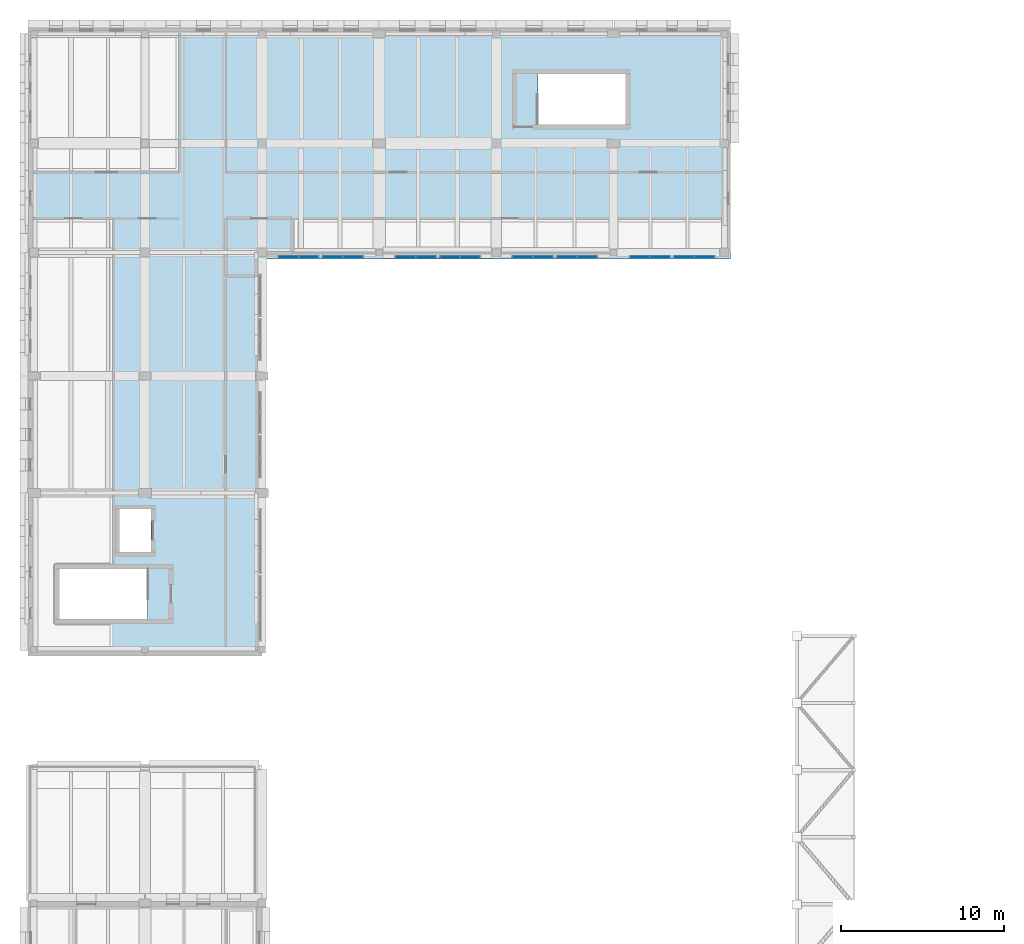
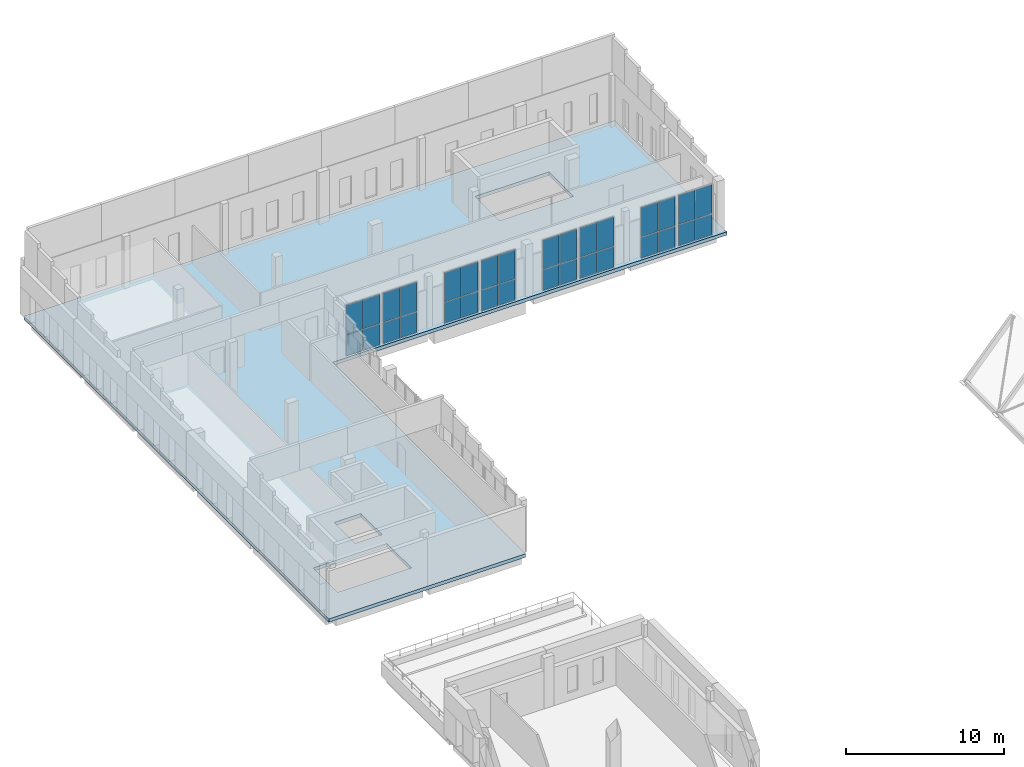
# One storey, part 17 of 34: 32 plates, 1 slab, 8 elements without a shape of their own.
"""IFC4 building model written with IfcOpenShell, lengths in metres."""

from ifc_helpers import new_model, si_unit, direction, frame, origin, origin_2d, place, context, subcontext, project, spatial, polyline, rectangle, outline, extrude, material, layer, layer_set, type_object, element, aggregate, save


model = new_model("IFC4")

# Units and contexts
model_context = context("Model", 3, precision=1e-05, world=origin(), true_north=direction((0.0, 1.0)))
body_context = subcontext(model_context, "Body", "Model", "MODEL_VIEW")
ifc_project = project(units=[si_unit("LENGTHUNIT", "METRE"), si_unit("AREAUNIT", "SQUARE_METRE"), si_unit("VOLUMEUNIT", "CUBIC_METRE"), si_unit("PLANEANGLEUNIT", "RADIAN"), si_unit("MASSUNIT", "GRAM", prefix="KILO")], contexts=[model_context])

# Site, building, storey
site_placement = place(None, origin())
site = spatial("IfcSite", under=ifc_project, at=site_placement, CompositionType="ELEMENT")
building_placement = place(site_placement, origin())
building = spatial("IfcBuilding", under=site, at=building_placement, Name="Vardoun Plaza Health Centre", CompositionType="ELEMENT")
storey_placement = place(building_placement, frame((0.0, 0.0, 12.89990234375)))
storey = spatial("IfcBuildingStorey", under=building, at=storey_placement, Name="L03", CompositionType="ELEMENT", Elevation=12.89990234375)

# Curtain wall, plates
ifc_material_1 = material(Name="Aluminium Alloy EN AW-6063-T6 and Low-E Glass", Category="aluminium")
ifc_layer_1 = layer(ifc_material_1, 0.159912109375)
ifc_layer_set_1 = layer_set([ifc_layer_1], Name="Aluminium Alloy EN AW-6063-T6 and Low-E Glass")
curtain_wall_type = type_object("IfcCurtainWallType", Name="CW-02", PredefinedType="USERDEFINED", material=ifc_layer_set_1)
curtain_wall_1_placement = place(storey_placement, origin())
curtain_wall_1 = element("IfcCurtainWall", 1, at=curtain_wall_1_placement, inside=storey, type_object=curtain_wall_type, Name="Curtain Wall CW-V3-087", ObjectType="COURTYARD_CURTAIN_WALL", PredefinedType="USERDEFINED")
ifc_material_2 = material(Name="Solar-Control Double Low-E Glazing", Category="glass")
ifc_layer_2 = layer(ifc_material_2, 0.028076171875)
ifc_layer_set_2 = layer_set([ifc_layer_2], Name="Solar-Control Double Low-E Glazing")
plate_type = type_object("IfcPlateType", Name="CW-P1", PredefinedType="CURTAIN_PANEL", material=ifc_layer_set_2)
plate_1_placement = place(storey_placement, frame((46.0849609375, 101.219970703125, 0.06005859375), z_axis=(0.0, 0.0, 1.0), x_axis=(-1.0, 0.0, 0.0)))
plate_1 = element("IfcPlate", 2, at=plate_1_placement, type_object=plate_type, Name="CW-V3-087 panel 1.1", PredefinedType="CURTAIN_PANEL", context=body_context, shape_type="SweptSolid", body=[
    extrude(rectangle(XDim=1.18994140625, YDim=0.028076171875, at=origin_2d()), origin(), (0.0, 0.0, 1.0), 1.59619140625),
])
plate_2_placement = place(storey_placement, frame((46.0849609375, 101.219970703125, 1.71630859375), z_axis=(0.0, 0.0, 1.0), x_axis=(-1.0, 0.0, 0.0)))
plate_2 = element("IfcPlate", 3, at=plate_2_placement, type_object=plate_type, Name="CW-V3-087 panel 1.2", PredefinedType="CURTAIN_PANEL", context=body_context, shape_type="SweptSolid", body=[
    extrude(rectangle(XDim=1.18994140625, YDim=0.028076171875, at=origin_2d()), origin(), (0.0, 0.0, 1.0), 2.23876953125),
])
plate_3_placement = place(storey_placement, frame((44.8349609375, 101.219970703125, 0.06005859375), z_axis=(0.0, 0.0, 1.0), x_axis=(-1.0, 0.0, 0.0)))
plate_3 = element("IfcPlate", 4, at=plate_3_placement, type_object=plate_type, Name="CW-V3-087 panel 2.1", PredefinedType="CURTAIN_PANEL", context=body_context, shape_type="SweptSolid", body=[
    extrude(rectangle(XDim=1.18994140625, YDim=0.028076171875, at=origin_2d()), origin(), (0.0, 0.0, 1.0), 1.59619140625),
])
plate_4_placement = place(storey_placement, frame((44.8349609375, 101.219970703125, 1.71630859375), z_axis=(0.0, 0.0, 1.0), x_axis=(-1.0, 0.0, 0.0)))
plate_4 = element("IfcPlate", 5, at=plate_4_placement, type_object=plate_type, Name="CW-V3-087 panel 2.2", PredefinedType="CURTAIN_PANEL", context=body_context, shape_type="SweptSolid", body=[
    extrude(rectangle(XDim=1.18994140625, YDim=0.028076171875, at=origin_2d()), origin(), (0.0, 0.0, 1.0), 2.23876953125),
])
aggregate(curtain_wall_1, [plate_1, plate_2, plate_3, plate_4])

curtain_wall_2_placement = place(storey_placement, origin())
curtain_wall_2 = element("IfcCurtainWall", 6, at=curtain_wall_2_placement, inside=storey, type_object=curtain_wall_type, Name="Curtain Wall CW-V3-088", ObjectType="COURTYARD_CURTAIN_WALL", PredefinedType="USERDEFINED")
plate_5_placement = place(storey_placement, frame((43.364990234375, 101.219970703125, 0.06005859375), z_axis=(0.0, 0.0, 1.0), x_axis=(-1.0, 0.0, 0.0)))
plate_5 = element("IfcPlate", 7, at=plate_5_placement, type_object=plate_type, Name="CW-V3-088 panel 1.1", PredefinedType="CURTAIN_PANEL", context=body_context, shape_type="SweptSolid", body=[
    extrude(rectangle(XDim=1.18994140625, YDim=0.028076171875, at=origin_2d()), origin(), (0.0, 0.0, 1.0), 1.59619140625),
])
plate_6_placement = place(storey_placement, frame((43.364990234375, 101.219970703125, 1.71630859375), z_axis=(0.0, 0.0, 1.0), x_axis=(-1.0, 0.0, 0.0)))
plate_6 = element("IfcPlate", 8, at=plate_6_placement, type_object=plate_type, Name="CW-V3-088 panel 1.2", PredefinedType="CURTAIN_PANEL", context=body_context, shape_type="SweptSolid", body=[
    extrude(rectangle(XDim=1.18994140625, YDim=0.028076171875, at=origin_2d()), origin(), (0.0, 0.0, 1.0), 2.23876953125),
])
plate_7_placement = place(storey_placement, frame((42.114990234375, 101.219970703125, 0.06005859375), z_axis=(0.0, 0.0, 1.0), x_axis=(-1.0, 0.0, 0.0)))
plate_7 = element("IfcPlate", 9, at=plate_7_placement, type_object=plate_type, Name="CW-V3-088 panel 2.1", PredefinedType="CURTAIN_PANEL", context=body_context, shape_type="SweptSolid", body=[
    extrude(rectangle(XDim=1.18994140625, YDim=0.028076171875, at=origin_2d()), origin(), (0.0, 0.0, 1.0), 1.59619140625),
])
plate_8_placement = place(storey_placement, frame((42.114990234375, 101.219970703125, 1.71630859375), z_axis=(0.0, 0.0, 1.0), x_axis=(-1.0, 0.0, 0.0)))
plate_8 = element("IfcPlate", 10, at=plate_8_placement, type_object=plate_type, Name="CW-V3-088 panel 2.2", PredefinedType="CURTAIN_PANEL", context=body_context, shape_type="SweptSolid", body=[
    extrude(rectangle(XDim=1.18994140625, YDim=0.028076171875, at=origin_2d()), origin(), (0.0, 0.0, 1.0), 2.23876953125),
])
aggregate(curtain_wall_2, [plate_5, plate_6, plate_7, plate_8])

curtain_wall_3_placement = place(storey_placement, origin())
curtain_wall_3 = element("IfcCurtainWall", 11, at=curtain_wall_3_placement, inside=storey, type_object=curtain_wall_type, Name="Curtain Wall CW-V3-089", ObjectType="COURTYARD_CURTAIN_WALL", PredefinedType="USERDEFINED")
plate_9_placement = place(storey_placement, frame((38.885009765625, 101.219970703125, 0.06005859375), z_axis=(0.0, 0.0, 1.0), x_axis=(-1.0, 0.0, 0.0)))
plate_9 = element("IfcPlate", 12, at=plate_9_placement, type_object=plate_type, Name="CW-V3-089 panel 1.1", PredefinedType="CURTAIN_PANEL", context=body_context, shape_type="SweptSolid", body=[
    extrude(rectangle(XDim=1.18994140625, YDim=0.028076171875, at=origin_2d()), origin(), (0.0, 0.0, 1.0), 1.59619140625),
])
plate_10_placement = place(storey_placement, frame((38.885009765625, 101.219970703125, 1.71630859375), z_axis=(0.0, 0.0, 1.0), x_axis=(-1.0, 0.0, 0.0)))
plate_10 = element("IfcPlate", 13, at=plate_10_placement, type_object=plate_type, Name="CW-V3-089 panel 1.2", PredefinedType="CURTAIN_PANEL", context=body_context, shape_type="SweptSolid", body=[
    extrude(rectangle(XDim=1.18994140625, YDim=0.028076171875, at=origin_2d()), origin(), (0.0, 0.0, 1.0), 2.23876953125),
])
plate_11_placement = place(storey_placement, frame((37.635009765625, 101.219970703125, 0.06005859375), z_axis=(0.0, 0.0, 1.0), x_axis=(-1.0, 0.0, 0.0)))
plate_11 = element("IfcPlate", 14, at=plate_11_placement, type_object=plate_type, Name="CW-V3-089 panel 2.1", PredefinedType="CURTAIN_PANEL", context=body_context, shape_type="SweptSolid", body=[
    extrude(rectangle(XDim=1.18994140625, YDim=0.028076171875, at=origin_2d()), origin(), (0.0, 0.0, 1.0), 1.59619140625),
])
plate_12_placement = place(storey_placement, frame((37.635009765625, 101.219970703125, 1.71630859375), z_axis=(0.0, 0.0, 1.0), x_axis=(-1.0, 0.0, 0.0)))
plate_12 = element("IfcPlate", 15, at=plate_12_placement, type_object=plate_type, Name="CW-V3-089 panel 2.2", PredefinedType="CURTAIN_PANEL", context=body_context, shape_type="SweptSolid", body=[
    extrude(rectangle(XDim=1.18994140625, YDim=0.028076171875, at=origin_2d()), origin(), (0.0, 0.0, 1.0), 2.23876953125),
])
aggregate(curtain_wall_3, [plate_9, plate_10, plate_11, plate_12])

curtain_wall_4_placement = place(storey_placement, origin())
curtain_wall_4 = element("IfcCurtainWall", 16, at=curtain_wall_4_placement, inside=storey, type_object=curtain_wall_type, Name="Curtain Wall CW-V3-090", ObjectType="COURTYARD_CURTAIN_WALL", PredefinedType="USERDEFINED")
plate_13_placement = place(storey_placement, frame((36.1650390625, 101.219970703125, 0.06005859375), z_axis=(0.0, 0.0, 1.0), x_axis=(-1.0, 0.0, 0.0)))
plate_13 = element("IfcPlate", 17, at=plate_13_placement, type_object=plate_type, Name="CW-V3-090 panel 1.1", PredefinedType="CURTAIN_PANEL", context=body_context, shape_type="SweptSolid", body=[
    extrude(rectangle(XDim=1.18994140625, YDim=0.028076171875, at=origin_2d()), origin(), (0.0, 0.0, 1.0), 1.59619140625),
])
plate_14_placement = place(storey_placement, frame((36.1650390625, 101.219970703125, 1.71630859375), z_axis=(0.0, 0.0, 1.0), x_axis=(-1.0, 0.0, 0.0)))
plate_14 = element("IfcPlate", 18, at=plate_14_placement, type_object=plate_type, Name="CW-V3-090 panel 1.2", PredefinedType="CURTAIN_PANEL", context=body_context, shape_type="SweptSolid", body=[
    extrude(rectangle(XDim=1.18994140625, YDim=0.028076171875, at=origin_2d()), origin(), (0.0, 0.0, 1.0), 2.23876953125),
])
plate_15_placement = place(storey_placement, frame((34.9150390625, 101.219970703125, 0.06005859375), z_axis=(0.0, 0.0, 1.0), x_axis=(-1.0, 0.0, 0.0)))
plate_15 = element("IfcPlate", 19, at=plate_15_placement, type_object=plate_type, Name="CW-V3-090 panel 2.1", PredefinedType="CURTAIN_PANEL", context=body_context, shape_type="SweptSolid", body=[
    extrude(rectangle(XDim=1.18994140625, YDim=0.028076171875, at=origin_2d()), origin(), (0.0, 0.0, 1.0), 1.59619140625),
])
plate_16_placement = place(storey_placement, frame((34.9150390625, 101.219970703125, 1.71630859375), z_axis=(0.0, 0.0, 1.0), x_axis=(-1.0, 0.0, 0.0)))
plate_16 = element("IfcPlate", 20, at=plate_16_placement, type_object=plate_type, Name="CW-V3-090 panel 2.2", PredefinedType="CURTAIN_PANEL", context=body_context, shape_type="SweptSolid", body=[
    extrude(rectangle(XDim=1.18994140625, YDim=0.028076171875, at=origin_2d()), origin(), (0.0, 0.0, 1.0), 2.23876953125),
])
aggregate(curtain_wall_4, [plate_13, plate_14, plate_15, plate_16])

curtain_wall_5_placement = place(storey_placement, origin())
curtain_wall_5 = element("IfcCurtainWall", 21, at=curtain_wall_5_placement, inside=storey, type_object=curtain_wall_type, Name="Curtain Wall CW-V3-091", ObjectType="COURTYARD_CURTAIN_WALL", PredefinedType="USERDEFINED")
plate_17_placement = place(storey_placement, frame((31.68505859375, 101.219970703125, 0.06005859375), z_axis=(0.0, 0.0, 1.0), x_axis=(-1.0, 0.0, 0.0)))
plate_17 = element("IfcPlate", 22, at=plate_17_placement, type_object=plate_type, Name="CW-V3-091 panel 1.1", PredefinedType="CURTAIN_PANEL", context=body_context, shape_type="SweptSolid", body=[
    extrude(rectangle(XDim=1.18994140625, YDim=0.028076171875, at=origin_2d()), origin(), (0.0, 0.0, 1.0), 1.59619140625),
])
plate_18_placement = place(storey_placement, frame((31.68505859375, 101.219970703125, 1.71630859375), z_axis=(0.0, 0.0, 1.0), x_axis=(-1.0, 0.0, 0.0)))
plate_18 = element("IfcPlate", 23, at=plate_18_placement, type_object=plate_type, Name="CW-V3-091 panel 1.2", PredefinedType="CURTAIN_PANEL", context=body_context, shape_type="SweptSolid", body=[
    extrude(rectangle(XDim=1.18994140625, YDim=0.028076171875, at=origin_2d()), origin(), (0.0, 0.0, 1.0), 2.23876953125),
])
plate_19_placement = place(storey_placement, frame((30.43505859375, 101.219970703125, 0.06005859375), z_axis=(0.0, 0.0, 1.0), x_axis=(-1.0, 0.0, 0.0)))
plate_19 = element("IfcPlate", 24, at=plate_19_placement, type_object=plate_type, Name="CW-V3-091 panel 2.1", PredefinedType="CURTAIN_PANEL", context=body_context, shape_type="SweptSolid", body=[
    extrude(rectangle(XDim=1.18994140625, YDim=0.028076171875, at=origin_2d()), origin(), (0.0, 0.0, 1.0), 1.59619140625),
])
plate_20_placement = place(storey_placement, frame((30.43505859375, 101.219970703125, 1.71630859375), z_axis=(0.0, 0.0, 1.0), x_axis=(-1.0, 0.0, 0.0)))
plate_20 = element("IfcPlate", 25, at=plate_20_placement, type_object=plate_type, Name="CW-V3-091 panel 2.2", PredefinedType="CURTAIN_PANEL", context=body_context, shape_type="SweptSolid", body=[
    extrude(rectangle(XDim=1.18994140625, YDim=0.028076171875, at=origin_2d()), origin(), (0.0, 0.0, 1.0), 2.23876953125),
])
aggregate(curtain_wall_5, [plate_17, plate_18, plate_19, plate_20])

curtain_wall_6_placement = place(storey_placement, origin())
curtain_wall_6 = element("IfcCurtainWall", 26, at=curtain_wall_6_placement, inside=storey, type_object=curtain_wall_type, Name="Curtain Wall CW-V3-092", ObjectType="COURTYARD_CURTAIN_WALL", PredefinedType="USERDEFINED")
plate_21_placement = place(storey_placement, frame((28.965087890625, 101.219970703125, 0.06005859375), z_axis=(0.0, 0.0, 1.0), x_axis=(-1.0, 0.0, 0.0)))
plate_21 = element("IfcPlate", 27, at=plate_21_placement, type_object=plate_type, Name="CW-V3-092 panel 1.1", PredefinedType="CURTAIN_PANEL", context=body_context, shape_type="SweptSolid", body=[
    extrude(rectangle(XDim=1.18994140625, YDim=0.028076171875, at=origin_2d()), origin(), (0.0, 0.0, 1.0), 1.59619140625),
])
plate_22_placement = place(storey_placement, frame((28.965087890625, 101.219970703125, 1.71630859375), z_axis=(0.0, 0.0, 1.0), x_axis=(-1.0, 0.0, 0.0)))
plate_22 = element("IfcPlate", 28, at=plate_22_placement, type_object=plate_type, Name="CW-V3-092 panel 1.2", PredefinedType="CURTAIN_PANEL", context=body_context, shape_type="SweptSolid", body=[
    extrude(rectangle(XDim=1.18994140625, YDim=0.028076171875, at=origin_2d()), origin(), (0.0, 0.0, 1.0), 2.23876953125),
])
plate_23_placement = place(storey_placement, frame((27.715087890625, 101.219970703125, 0.06005859375), z_axis=(0.0, 0.0, 1.0), x_axis=(-1.0, 0.0, 0.0)))
plate_23 = element("IfcPlate", 29, at=plate_23_placement, type_object=plate_type, Name="CW-V3-092 panel 2.1", PredefinedType="CURTAIN_PANEL", context=body_context, shape_type="SweptSolid", body=[
    extrude(rectangle(XDim=1.18994140625, YDim=0.028076171875, at=origin_2d()), origin(), (0.0, 0.0, 1.0), 1.59619140625),
])
plate_24_placement = place(storey_placement, frame((27.715087890625, 101.219970703125, 1.71630859375), z_axis=(0.0, 0.0, 1.0), x_axis=(-1.0, 0.0, 0.0)))
plate_24 = element("IfcPlate", 30, at=plate_24_placement, type_object=plate_type, Name="CW-V3-092 panel 2.2", PredefinedType="CURTAIN_PANEL", context=body_context, shape_type="SweptSolid", body=[
    extrude(rectangle(XDim=1.18994140625, YDim=0.028076171875, at=origin_2d()), origin(), (0.0, 0.0, 1.0), 2.23876953125),
])
aggregate(curtain_wall_6, [plate_21, plate_22, plate_23, plate_24])

curtain_wall_7_placement = place(storey_placement, origin())
curtain_wall_7 = element("IfcCurtainWall", 31, at=curtain_wall_7_placement, inside=storey, type_object=curtain_wall_type, Name="Curtain Wall CW-V3-093", ObjectType="COURTYARD_CURTAIN_WALL", PredefinedType="USERDEFINED")
plate_25_placement = place(storey_placement, frame((24.485107421875, 101.219970703125, 0.06005859375), z_axis=(0.0, 0.0, 1.0), x_axis=(-1.0, 0.0, 0.0)))
plate_25 = element("IfcPlate", 32, at=plate_25_placement, type_object=plate_type, Name="CW-V3-093 panel 1.1", PredefinedType="CURTAIN_PANEL", context=body_context, shape_type="SweptSolid", body=[
    extrude(rectangle(XDim=1.18994140625, YDim=0.028076171875, at=origin_2d()), origin(), (0.0, 0.0, 1.0), 1.59619140625),
])
plate_26_placement = place(storey_placement, frame((24.485107421875, 101.219970703125, 1.71630859375), z_axis=(0.0, 0.0, 1.0), x_axis=(-1.0, 0.0, 0.0)))
plate_26 = element("IfcPlate", 33, at=plate_26_placement, type_object=plate_type, Name="CW-V3-093 panel 1.2", PredefinedType="CURTAIN_PANEL", context=body_context, shape_type="SweptSolid", body=[
    extrude(rectangle(XDim=1.18994140625, YDim=0.028076171875, at=origin_2d()), origin(), (0.0, 0.0, 1.0), 2.23876953125),
])
plate_27_placement = place(storey_placement, frame((23.235107421875, 101.219970703125, 0.06005859375), z_axis=(0.0, 0.0, 1.0), x_axis=(-1.0, 0.0, 0.0)))
plate_27 = element("IfcPlate", 34, at=plate_27_placement, type_object=plate_type, Name="CW-V3-093 panel 2.1", PredefinedType="CURTAIN_PANEL", context=body_context, shape_type="SweptSolid", body=[
    extrude(rectangle(XDim=1.18994140625, YDim=0.028076171875, at=origin_2d()), origin(), (0.0, 0.0, 1.0), 1.59619140625),
])
plate_28_placement = place(storey_placement, frame((23.235107421875, 101.219970703125, 1.71630859375), z_axis=(0.0, 0.0, 1.0), x_axis=(-1.0, 0.0, 0.0)))
plate_28 = element("IfcPlate", 35, at=plate_28_placement, type_object=plate_type, Name="CW-V3-093 panel 2.2", PredefinedType="CURTAIN_PANEL", context=body_context, shape_type="SweptSolid", body=[
    extrude(rectangle(XDim=1.18994140625, YDim=0.028076171875, at=origin_2d()), origin(), (0.0, 0.0, 1.0), 2.23876953125),
])
aggregate(curtain_wall_7, [plate_25, plate_26, plate_27, plate_28])

curtain_wall_8_placement = place(storey_placement, origin())
curtain_wall_8 = element("IfcCurtainWall", 36, at=curtain_wall_8_placement, inside=storey, type_object=curtain_wall_type, Name="Curtain Wall CW-V3-094", ObjectType="COURTYARD_CURTAIN_WALL", PredefinedType="USERDEFINED")
plate_29_placement = place(storey_placement, frame((21.764892578125, 101.219970703125, 0.06005859375), z_axis=(0.0, 0.0, 1.0), x_axis=(-1.0, 0.0, 0.0)))
plate_29 = element("IfcPlate", 37, at=plate_29_placement, type_object=plate_type, Name="CW-V3-094 panel 1.1", PredefinedType="CURTAIN_PANEL", context=body_context, shape_type="SweptSolid", body=[
    extrude(rectangle(XDim=1.18994140625, YDim=0.028076171875, at=origin_2d()), origin(), (0.0, 0.0, 1.0), 1.59619140625),
])
plate_30_placement = place(storey_placement, frame((21.764892578125, 101.219970703125, 1.71630859375), z_axis=(0.0, 0.0, 1.0), x_axis=(-1.0, 0.0, 0.0)))
plate_30 = element("IfcPlate", 38, at=plate_30_placement, type_object=plate_type, Name="CW-V3-094 panel 1.2", PredefinedType="CURTAIN_PANEL", context=body_context, shape_type="SweptSolid", body=[
    extrude(rectangle(XDim=1.18994140625, YDim=0.028076171875, at=origin_2d()), origin(), (0.0, 0.0, 1.0), 2.23876953125),
])
plate_31_placement = place(storey_placement, frame((20.514892578125, 101.219970703125, 0.06005859375), z_axis=(0.0, 0.0, 1.0), x_axis=(-1.0, 0.0, 0.0)))
plate_31 = element("IfcPlate", 39, at=plate_31_placement, type_object=plate_type, Name="CW-V3-094 panel 2.1", PredefinedType="CURTAIN_PANEL", context=body_context, shape_type="SweptSolid", body=[
    extrude(rectangle(XDim=1.18994140625, YDim=0.028076171875, at=origin_2d()), origin(), (0.0, 0.0, 1.0), 1.59619140625),
])
plate_32_placement = place(storey_placement, frame((20.514892578125, 101.219970703125, 1.71630859375), z_axis=(0.0, 0.0, 1.0), x_axis=(-1.0, 0.0, 0.0)))
plate_32 = element("IfcPlate", 40, at=plate_32_placement, type_object=plate_type, Name="CW-V3-094 panel 2.2", PredefinedType="CURTAIN_PANEL", context=body_context, shape_type="SweptSolid", body=[
    extrude(rectangle(XDim=1.18994140625, YDim=0.028076171875, at=origin_2d()), origin(), (0.0, 0.0, 1.0), 2.23876953125),
])
aggregate(curtain_wall_8, [plate_29, plate_30, plate_31, plate_32])

# Slab
ifc_material_3 = material(Name="Concrete C35/45", Category="concrete")
ifc_layer_3 = layer(ifc_material_3, 0.264892578125)
ifc_layer_set_3 = layer_set([ifc_layer_3], Name="Concrete C35/45")
slab_type = type_object("IfcSlabType", Name="SL-02", PredefinedType="FLOOR", material=ifc_layer_set_3)
slab_placement = place(storey_placement, frame((0.0, 0.0, -0.264892578125)))
element("IfcSlab", 41, at=slab_placement, inside=storey, type_object=slab_type, Name="V3 L03 Structural Slab", PredefinedType="FLOOR", context=body_context, shape_type="SweptSolid", body=[
    extrude(outline(polyline([(4.5, 76.679931640625), (18.89990234375, 76.679931640625), (18.89990234375, 101.10009765625), (47.699951171875, 101.10009765625), (47.699951171875, 115.300048828125), (4.5, 115.300048828125), (4.5, 76.679931640625)]), holes=[polyline([(6.449951171875, 78.949951171875), (11.849365234375, 78.949951171875), (11.849365234375, 82.050048828125), (6.449951171875, 82.050048828125), (6.449951171875, 78.949951171875)]), polyline([(10.1201171875, 83.070068359375), (12.080078125, 83.070068359375), (12.080078125, 85.72998046875), (10.1201171875, 85.72998046875), (10.1201171875, 83.070068359375)]), polyline([(35.8505859375, 109.35009765625), (41.25, 109.35009765625), (41.25, 112.449951171875), (35.8505859375, 112.449951171875), (35.8505859375, 109.35009765625)])]), origin(), (0.0, 0.0, 1.0), 0.264892578125),
])

save(model, "model.ifc")
